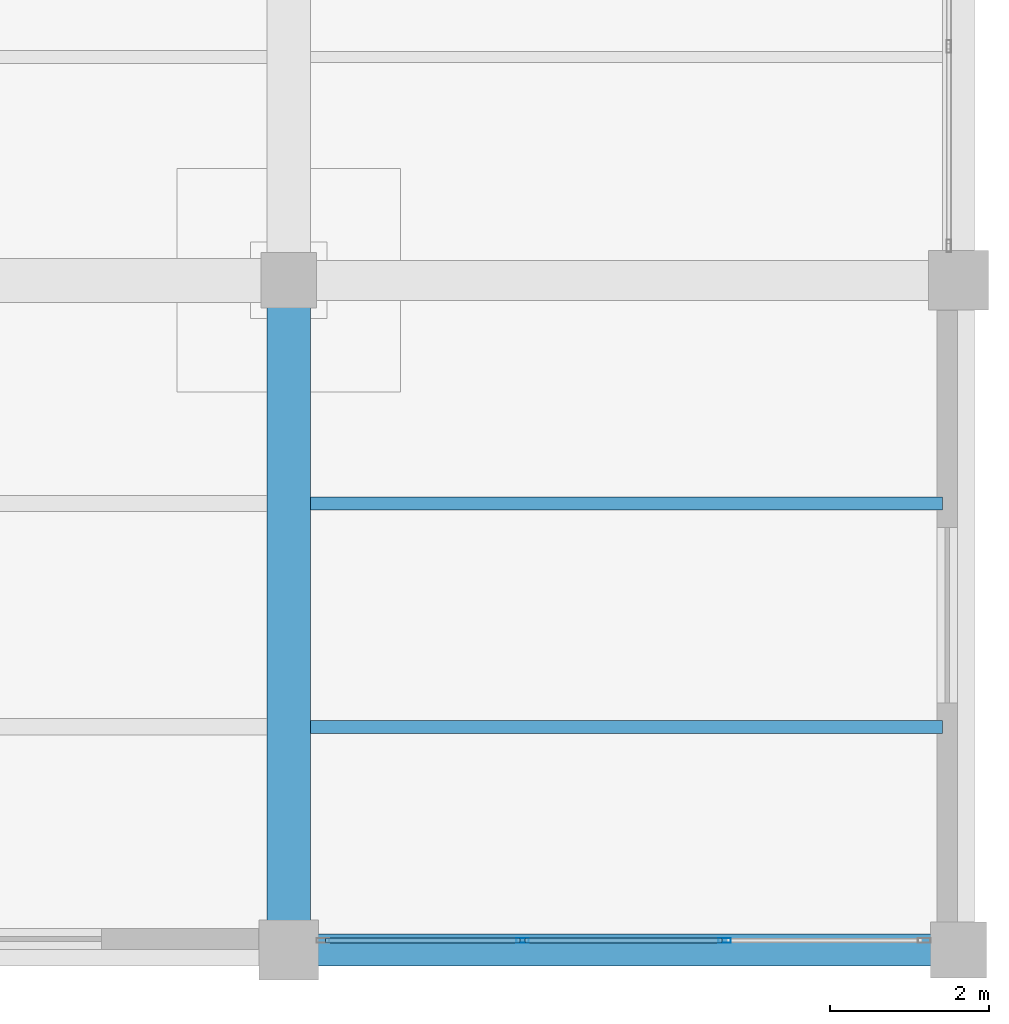
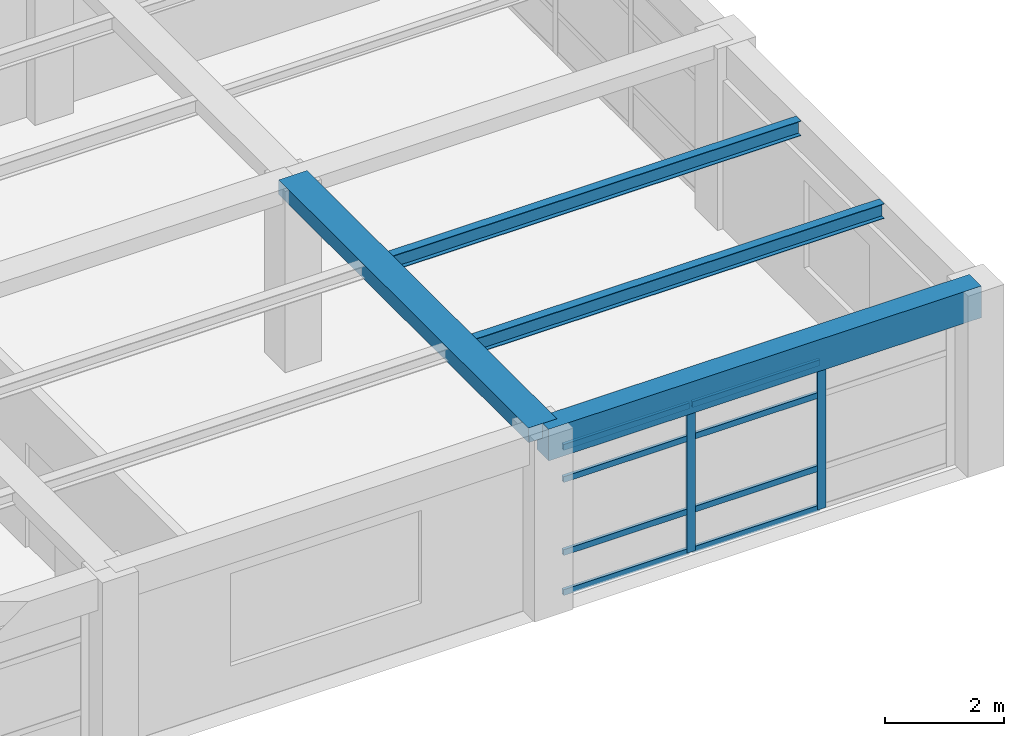
# One storey, part 13 of 31: 10 members, 4 beams, 1 element without a shape of its own.
"""IFC4 building model written with IfcOpenShell, lengths in metres."""

from ifc_helpers import new_model, si_unit, direction, frame, origin, origin_2d, place, context, subcontext, project, spatial, rectangle, hollow_rectangle, i_section, extrude, material, material_profile, profile_set, type_object, element, aggregate, save


model = new_model("IFC4")

# Units and contexts
model_context = context("Model", 3, precision=1e-05, world=origin(), true_north=direction((0.0, 1.0)))
body_context = subcontext(model_context, "Body", "Model", "MODEL_VIEW")
ifc_project = project(units=[si_unit("LENGTHUNIT", "METRE"), si_unit("AREAUNIT", "SQUARE_METRE"), si_unit("VOLUMEUNIT", "CUBIC_METRE"), si_unit("PLANEANGLEUNIT", "RADIAN"), si_unit("MASSUNIT", "GRAM", prefix="KILO")], contexts=[model_context])

# Site, building, storey
site_placement = place(None, origin())
site = spatial("IfcSite", under=ifc_project, at=site_placement, CompositionType="ELEMENT")
building_placement = place(site_placement, origin())
building = spatial("IfcBuilding", under=site, at=building_placement, Name="Almacenes y Pasaje Nevantli", CompositionType="ELEMENT")
storey_placement = place(building_placement, frame((0.0, 0.0, 34.699951171875)))
storey = spatial("IfcBuildingStorey", under=building, at=storey_placement, Name="L08", CompositionType="ELEMENT", Elevation=34.699951171875)

# Beams
ifc_material_1 = material(Name="Concrete C35/45", Category="concrete")
ifc_material_profile_1 = material_profile(ifc_material_1, rectangle(XDim=0.39990234375, YDim=0.64990234375, at=origin_2d()), Name="RC-BM-400x650")
ifc_profile_set_1 = profile_set([ifc_material_profile_1], Name="Concrete C35/45")
beam_type_1 = type_object("IfcBeamType", Name="BM-RC-400x650", PredefinedType="SPANDREL", material=ifc_profile_set_1)
beam_1_placement = place(storey_placement, frame((151.199951171875, 67.199951171875, 3.39501953125), z_axis=(1.0, 0.0, 0.0), x_axis=(0.0, 1.0, 0.0)))
element("IfcBeam", 1, at=beam_1_placement, inside=storey, type_object=beam_type_1, Name="L08 East-West Reinforced Concrete Beam #3690", PredefinedType="SPANDREL", context=body_context, shape_type="SweptSolid", body=[
    extrude(rectangle(XDim=0.39990234375, YDim=0.64990234375, at=origin_2d()), origin(), (0.0, 0.0, 1.0), 8.400146484375),
])
ifc_material_2 = material(Name="Concrete C35/45", Category="concrete")
ifc_material_profile_2 = material_profile(ifc_material_2, rectangle(XDim=0.550048828125, YDim=0.300048828125, at=origin_2d()), Name="RC-BM-550x300")
ifc_profile_set_2 = profile_set([ifc_material_profile_2], Name="Concrete C35/45")
beam_type_2 = type_object("IfcBeamType", Name="BM-RC-550x300", PredefinedType="BEAM", material=ifc_profile_set_2)
beam_2_placement = place(storey_placement, frame((151.199951171875, 67.199951171875, 3.570068359375), z_axis=(0.0, 1.0, 0.0), x_axis=(-1.0, 0.0, 0.0)))
element("IfcBeam", 2, at=beam_2_placement, inside=storey, type_object=beam_type_2, Name="L08 North-South Reinforced Concrete Beam #3733", PredefinedType="BEAM", context=body_context, shape_type="SweptSolid", body=[
    extrude(rectangle(XDim=0.550048828125, YDim=0.300048828125, at=origin_2d()), origin(), (0.0, 0.0, 1.0), 8.400146484375),
])
ifc_material_3 = material(Name="Steel ASTM A992", Category="steel")
ifc_material_profile_3 = material_profile(ifc_material_3, i_section(OverallWidth=0.1650390625, OverallDepth=0.306884765625, WebThickness=0.006591796875, FlangeThickness=0.01025390625, at=origin_2d()), Name="IR 305x44.6")
ifc_profile_set_3 = profile_set([ifc_material_profile_3], Name="Steel ASTM A992")
beam_type_3 = type_object("IfcBeamType", Name="BM-STL-IR-305x44p6", PredefinedType="JOIST", material=ifc_profile_set_3)
for number, where, z_axis, x_axis, name in (
    (3, (151.47509765625, 70.0, 3.55859375), (1.0, 0.0, 0.0), (0.0, 1.0, 0.0), "L08 Secondary Steel Floor Joist #1447"),
    (4, (151.47509765625, 72.800048828125, 3.55859375), (1.0, 0.0, 0.0), (0.0, 1.0, 0.0), "L08 Secondary Steel Floor Joist #1448"),
):
    element("IfcBeam", number, at=place(storey_placement, frame(where, z_axis=z_axis, x_axis=x_axis)), inside=storey, type_object=beam_type_3, Name=name, PredefinedType="JOIST", context=body_context, shape_type="SweptSolid", body=[
        extrude(i_section(OverallWidth=0.1650390625, OverallDepth=0.306884765625, WebThickness=0.006591796875, FlangeThickness=0.01025390625, at=origin_2d()), origin(), (0.0, 0.0, 1.0), 7.9248046875),
    ])

# Curtain wall, members
ifc_material_4 = material(Name="Thermally Broken Aluminium and Low-E Glass", Category="aluminium")
curtain_wall_type = type_object("IfcCurtainWallType", Name="CW-UNIT-TOWER", PredefinedType="USERDEFINED", material=ifc_material_4)
curtain_wall_placement = place(storey_placement, origin())
curtain_wall = element("IfcCurtainWall", 5, at=curtain_wall_placement, inside=storey, type_object=curtain_wall_type, Name="L08 Tower South Unitized Curtain Wall Bay 19", ObjectType="UNITIZED CURTAIN WALL", PredefinedType="USERDEFINED")
ifc_material_5 = material(Name="Thermally Broken Anodized Aluminium", Category="aluminium")
ifc_material_profile_4 = material_profile(ifc_material_5, hollow_rectangle(XDim=0.06005859375, YDim=0.159912109375, WallThickness=0.00390625, at=origin_2d()), Name="ALU-MUL-60x160")
ifc_profile_set_4 = profile_set([ifc_material_profile_4], Name="Thermally Broken Anodized Aluminium")
member_type_1 = type_object("IfcMemberType", Name="CW-MUL-180", PredefinedType="MULLION", material=ifc_profile_set_4)
member_1_placement = place(storey_placement, frame((154.13330078125, 67.320068359375, 0.0), z_axis=(0.0, 0.0, 1.0), x_axis=(0.0, 1.0, 0.0)))
member_1 = element("IfcMember", 6, at=member_1_placement, type_object=member_type_1, Name="CW-L08-126 mullion 2", PredefinedType="MULLION", context=body_context, shape_type="SweptSolid", body=[
    extrude(hollow_rectangle(XDim=0.06005859375, YDim=0.159912109375, WallThickness=0.00390625, at=origin_2d()), origin(), (0.0, 0.0, 1.0), 3.0400390625),
])
member_2_placement = place(storey_placement, frame((156.666748046875, 67.320068359375, 0.0), z_axis=(0.0, 0.0, 1.0), x_axis=(0.0, 1.0, 0.0)))
member_2 = element("IfcMember", 7, at=member_2_placement, type_object=member_type_1, Name="CW-L08-126 mullion 3", PredefinedType="MULLION", context=body_context, shape_type="SweptSolid", body=[
    extrude(hollow_rectangle(XDim=0.06005859375, YDim=0.159912109375, WallThickness=0.00390625, at=origin_2d()), origin(), (0.0, 0.0, 1.0), 3.0400390625),
])
ifc_material_6 = material(Name="Thermally Broken Anodized Aluminium", Category="aluminium")
ifc_material_profile_5 = material_profile(ifc_material_6, hollow_rectangle(XDim=0.06005859375, YDim=0.1201171875, WallThickness=0.00341796875, at=origin_2d()), Name="ALU-TRN-60x120")
ifc_profile_set_5 = profile_set([ifc_material_profile_5], Name="Thermally Broken Anodized Aluminium")
member_type_2 = type_object("IfcMemberType", Name="CW-TRN-130", PredefinedType="USERDEFINED", material=ifc_profile_set_5)
member_3_placement = place(storey_placement, frame((151.659912109375, 67.320068359375, 0.030029296875), z_axis=(1.0, 0.0, 0.0), x_axis=(0.0, 1.0, 0.0)))
member_3 = element("IfcMember", 8, at=member_3_placement, type_object=member_type_2, Name="CW-L08-126 transom 1.1", ObjectType="TRANSOM", PredefinedType="USERDEFINED", context=body_context, shape_type="SweptSolid", body=[
    extrude(hollow_rectangle(XDim=0.06005859375, YDim=0.1201171875, WallThickness=0.00341796875, at=origin_2d()), origin(), (0.0, 0.0, 1.0), 2.443359375),
])
member_4_placement = place(storey_placement, frame((151.659912109375, 67.320068359375, 0.85009765625), z_axis=(1.0, 0.0, 0.0), x_axis=(0.0, 1.0, 0.0)))
member_4 = element("IfcMember", 9, at=member_4_placement, type_object=member_type_2, Name="CW-L08-126 transom 1.2", ObjectType="TRANSOM", PredefinedType="USERDEFINED", context=body_context, shape_type="SweptSolid", body=[
    extrude(hollow_rectangle(XDim=0.06005859375, YDim=0.1201171875, WallThickness=0.00341796875, at=origin_2d()), origin(), (0.0, 0.0, 1.0), 2.443359375),
])
member_5_placement = place(storey_placement, frame((151.659912109375, 67.320068359375, 2.35009765625), z_axis=(1.0, 0.0, 0.0), x_axis=(0.0, 1.0, 0.0)))
member_5 = element("IfcMember", 10, at=member_5_placement, type_object=member_type_2, Name="CW-L08-126 transom 1.3", ObjectType="TRANSOM", PredefinedType="USERDEFINED", context=body_context, shape_type="SweptSolid", body=[
    extrude(hollow_rectangle(XDim=0.06005859375, YDim=0.1201171875, WallThickness=0.00341796875, at=origin_2d()), origin(), (0.0, 0.0, 1.0), 2.443359375),
])
member_6_placement = place(storey_placement, frame((151.659912109375, 67.320068359375, 3.010009765625), z_axis=(1.0, 0.0, 0.0), x_axis=(0.0, 1.0, 0.0)))
member_6 = element("IfcMember", 11, at=member_6_placement, type_object=member_type_2, Name="CW-L08-126 transom 1.4", ObjectType="TRANSOM", PredefinedType="USERDEFINED", context=body_context, shape_type="SweptSolid", body=[
    extrude(hollow_rectangle(XDim=0.06005859375, YDim=0.1201171875, WallThickness=0.00341796875, at=origin_2d()), origin(), (0.0, 0.0, 1.0), 2.443359375),
])
member_7_placement = place(storey_placement, frame((154.163330078125, 67.320068359375, 0.030029296875), z_axis=(1.0, 0.0, 0.0), x_axis=(0.0, 1.0, 0.0)))
member_7 = element("IfcMember", 12, at=member_7_placement, type_object=member_type_2, Name="CW-L08-126 transom 2.1", ObjectType="TRANSOM", PredefinedType="USERDEFINED", context=body_context, shape_type="SweptSolid", body=[
    extrude(hollow_rectangle(XDim=0.06005859375, YDim=0.1201171875, WallThickness=0.00341796875, at=origin_2d()), origin(), (0.0, 0.0, 1.0), 2.473388671875),
])
member_8_placement = place(storey_placement, frame((154.163330078125, 67.320068359375, 0.85009765625), z_axis=(1.0, 0.0, 0.0), x_axis=(0.0, 1.0, 0.0)))
member_8 = element("IfcMember", 13, at=member_8_placement, type_object=member_type_2, Name="CW-L08-126 transom 2.2", ObjectType="TRANSOM", PredefinedType="USERDEFINED", context=body_context, shape_type="SweptSolid", body=[
    extrude(hollow_rectangle(XDim=0.06005859375, YDim=0.1201171875, WallThickness=0.00341796875, at=origin_2d()), origin(), (0.0, 0.0, 1.0), 2.473388671875),
])
member_9_placement = place(storey_placement, frame((154.163330078125, 67.320068359375, 2.35009765625), z_axis=(1.0, 0.0, 0.0), x_axis=(0.0, 1.0, 0.0)))
member_9 = element("IfcMember", 14, at=member_9_placement, type_object=member_type_2, Name="CW-L08-126 transom 2.3", ObjectType="TRANSOM", PredefinedType="USERDEFINED", context=body_context, shape_type="SweptSolid", body=[
    extrude(hollow_rectangle(XDim=0.06005859375, YDim=0.1201171875, WallThickness=0.00341796875, at=origin_2d()), origin(), (0.0, 0.0, 1.0), 2.473388671875),
])
member_10_placement = place(storey_placement, frame((154.163330078125, 67.320068359375, 3.010009765625), z_axis=(1.0, 0.0, 0.0), x_axis=(0.0, 1.0, 0.0)))
member_10 = element("IfcMember", 15, at=member_10_placement, type_object=member_type_2, Name="CW-L08-126 transom 2.4", ObjectType="TRANSOM", PredefinedType="USERDEFINED", context=body_context, shape_type="SweptSolid", body=[
    extrude(hollow_rectangle(XDim=0.06005859375, YDim=0.1201171875, WallThickness=0.00341796875, at=origin_2d()), origin(), (0.0, 0.0, 1.0), 2.473388671875),
])
aggregate(curtain_wall, [member_1, member_2, member_3, member_4, member_5, member_6, member_7, member_8, member_9, member_10])

save(model, "model.ifc")
